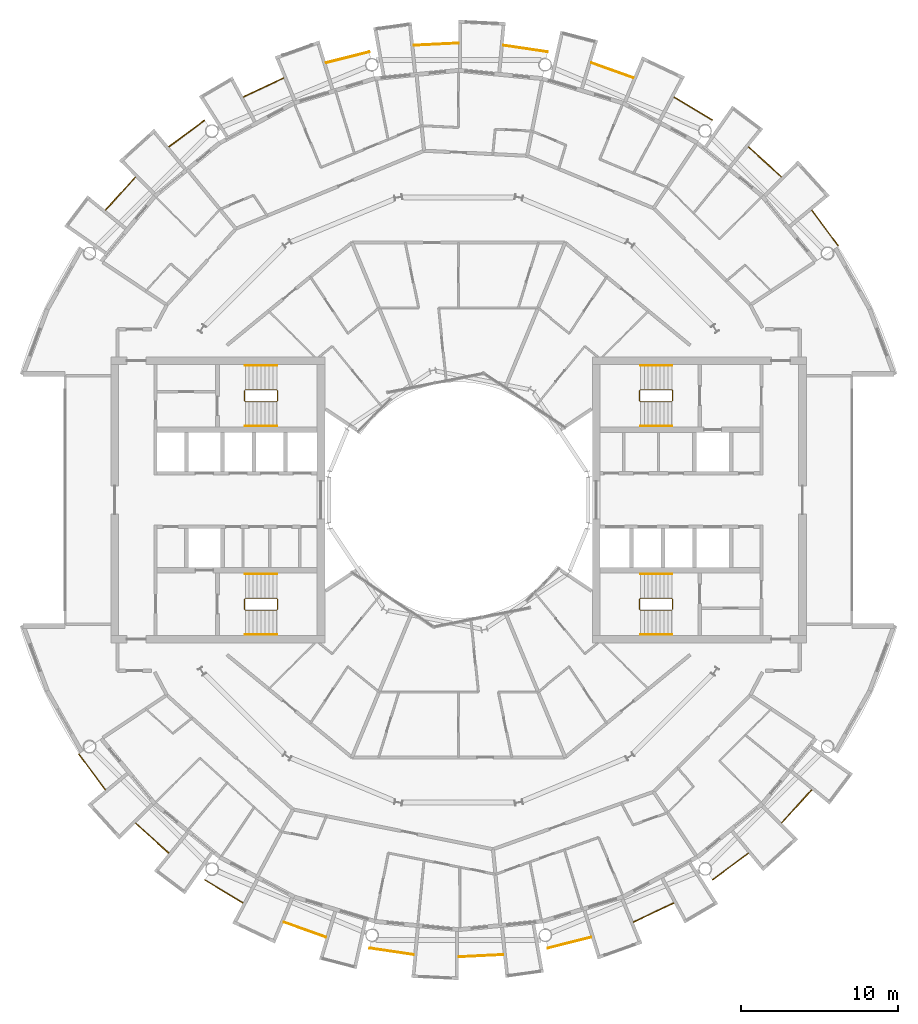
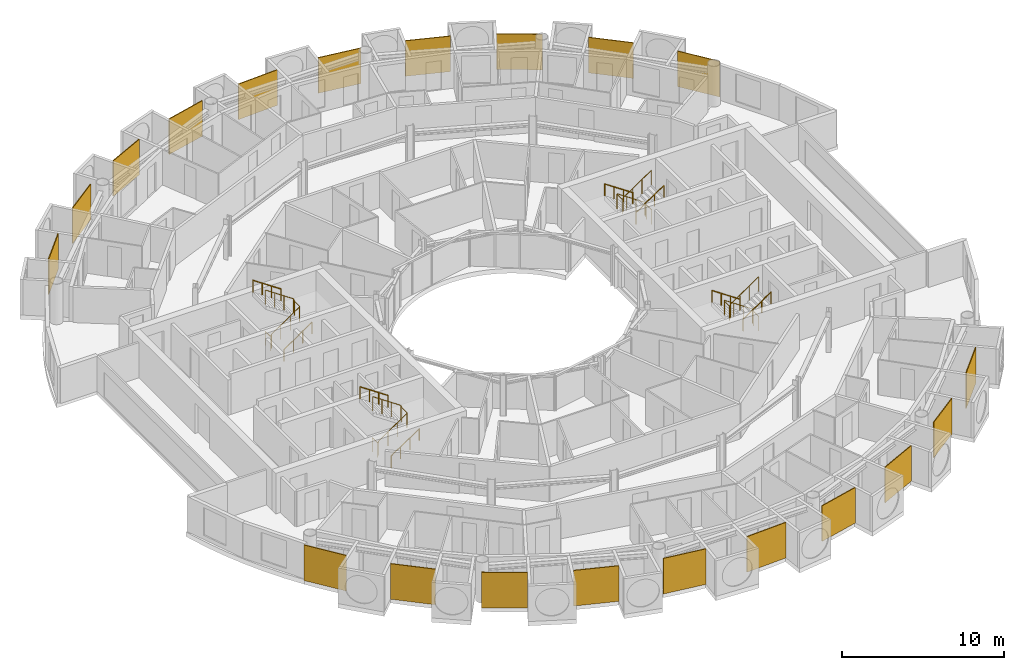
# One storey, part 26 of 26: 32 railings.
"""IFC4 building model written with IfcOpenShell, lengths in metres."""

from ifc_helpers import new_model, si_unit, direction, frame, origin, origin_2d, place, context, subcontext, project, spatial, polyline, circle, outline, extrude, material, layer, layer_set, type_object, element, save


model = new_model("IFC4")

# Units and contexts
model_context = context("Model", 3, precision=1e-05, world=origin(), true_north=direction((0.0, 1.0)))
body_context = subcontext(model_context, "Body", "Model", "MODEL_VIEW")
ifc_project = project(units=[si_unit("LENGTHUNIT", "METRE"), si_unit("AREAUNIT", "SQUARE_METRE"), si_unit("VOLUMEUNIT", "CUBIC_METRE"), si_unit("PLANEANGLEUNIT", "RADIAN"), si_unit("MASSUNIT", "GRAM", prefix="KILO")], contexts=[model_context])

# Site, building, storey
site_placement = place(None, origin())
site = spatial("IfcSite", under=ifc_project, at=site_placement, CompositionType="ELEMENT")
building_placement = place(site_placement, origin())
building = spatial("IfcBuilding", under=site, at=building_placement, Name="Maasbend Ring Residences", CompositionType="ELEMENT")
storey_placement = place(building_placement, frame((0.0, 0.0, 176.85009765625)))
storey = spatial("IfcBuildingStorey", under=building, at=storey_placement, Name="L51", CompositionType="ELEMENT", Elevation=176.85009765625)

# Railings
ifc_material_1 = material(Name="Pale anodised perforated aluminium", Category="aluminium")
ifc_layer = layer(ifc_material_1, 0.06005859375)
ifc_layer_set = layer_set([ifc_layer], Name="SCREEN-P")
railing_type_1 = type_object("IfcRailingType", Name="SCREEN-P", PredefinedType="GUARDRAIL", material=ifc_layer_set)
railing_1_placement = place(storey_placement, frame((0.0, 0.0, -0.030029296875)))
element("IfcRailing", 1, at=railing_1_placement, inside=storey, type_object=railing_type_1, Name="Perforated screen guard 1", PredefinedType="GUARDRAIL", context=body_context, shape_type="SweptSolid", body=[
    extrude(outline(polyline([(24.113037109375, 16.112060546875), (22.4169921875, 18.39697265625), (22.465087890625, 18.43310546875), (24.160888671875, 16.14697265625), (24.113037109375, 16.112060546875)])), origin(), (0.0, 0.0, 1.0), 2.679931640625),
])
railing_2_placement = place(storey_placement, frame((0.0, 0.0, -0.030029296875)))
element("IfcRailing", 2, at=railing_2_placement, inside=storey, type_object=railing_type_1, Name="Perforated screen guard 2", PredefinedType="GUARDRAIL", context=body_context, shape_type="SweptSolid", body=[
    extrude(outline(polyline([(20.506103515625, 20.506103515625), (18.39697265625, 22.4169921875), (18.43798828125, 22.4619140625), (20.5458984375, 20.551025390625), (20.506103515625, 20.506103515625)])), origin(), (0.0, 0.0, 1.0), 2.679931640625),
])
railing_3_placement = place(storey_placement, frame((0.0, 0.0, -0.030029296875)))
element("IfcRailing", 3, at=railing_3_placement, inside=storey, type_object=railing_type_1, Name="Perforated screen guard 3", PredefinedType="GUARDRAIL", context=body_context, shape_type="SweptSolid", body=[
    extrude(outline(polyline([(16.112060546875, 24.113037109375), (13.6708984375, 25.575927734375), (13.700927734375, 25.626953125), (16.14208984375, 24.1640625), (16.112060546875, 24.113037109375)])), origin(), (0.0, 0.0, 1.0), 2.679931640625),
])
railing_4_placement = place(storey_placement, frame((0.0, 0.0, -0.030029296875)))
element("IfcRailing", 4, at=railing_4_placement, inside=storey, type_object=railing_type_1, Name="Perforated screen guard 4", PredefinedType="GUARDRAIL", context=body_context, shape_type="SweptSolid", body=[
    extrude(outline(polyline([(11.097900390625, 26.79296875), (8.41796875, 27.7509765625), (8.43798828125, 27.80810546875), (11.117919921875, 26.84912109375), (11.097900390625, 26.79296875)])), origin(), (0.0, 0.0, 1.0), 2.679931640625),
])
railing_5_placement = place(storey_placement, frame((0.0, 0.0, -0.030029296875)))
element("IfcRailing", 5, at=railing_5_placement, inside=storey, type_object=railing_type_1, Name="Perforated screen guard 5", PredefinedType="GUARDRAIL", context=body_context, shape_type="SweptSolid", body=[
    extrude(outline(polyline([(5.657958984375, 28.443115234375), (2.842041015625, 28.860107421875), (2.85107421875, 28.919921875), (5.666015625, 28.501953125), (5.657958984375, 28.443115234375)])), origin(), (0.0, 0.0, 1.0), 2.679931640625),
])
railing_6_placement = place(storey_placement, frame((0.0, 0.0, -0.030029296875)))
element("IfcRailing", 6, at=railing_6_placement, inside=storey, type_object=railing_type_1, Name="Perforated screen guard 6", PredefinedType="GUARDRAIL", context=body_context, shape_type="SweptSolid", body=[
    extrude(outline(polyline([(0.0, 29.0), (-2.842041015625, 28.860107421875), (-2.844970703125, 28.919921875), (-0.0029296875, 29.06005859375), (0.0, 29.0)])), origin(), (0.0, 0.0, 1.0), 2.679931640625),
])
railing_7_placement = place(storey_placement, frame((0.0, 0.0, -0.030029296875)))
element("IfcRailing", 7, at=railing_7_placement, inside=storey, type_object=railing_type_1, Name="Perforated screen guard 7", PredefinedType="GUARDRAIL", context=body_context, shape_type="SweptSolid", body=[
    extrude(outline(polyline([(-5.657958984375, 28.443115234375), (-8.41796875, 27.7509765625), (-8.43310546875, 27.80908203125), (-5.672119140625, 28.5009765625), (-5.657958984375, 28.443115234375)])), origin(), (0.0, 0.0, 1.0), 2.679931640625),
])
railing_8_placement = place(storey_placement, frame((0.0, 0.0, -0.030029296875)))
element("IfcRailing", 8, at=railing_8_placement, inside=storey, type_object=railing_type_1, Name="Perforated screen guard 8", PredefinedType="GUARDRAIL", context=body_context, shape_type="SweptSolid", body=[
    extrude(outline(polyline([(-11.097900390625, 26.79296875), (-13.6708984375, 25.575927734375), (-13.696044921875, 25.6298828125), (-11.123046875, 26.846923828125), (-11.097900390625, 26.79296875)])), origin(), (0.0, 0.0, 1.0), 2.679931640625),
])
railing_9_placement = place(storey_placement, frame((0.0, 0.0, -0.030029296875)))
element("IfcRailing", 9, at=railing_9_placement, inside=storey, type_object=railing_type_1, Name="Perforated screen guard 9", PredefinedType="GUARDRAIL", context=body_context, shape_type="SweptSolid", body=[
    extrude(outline(polyline([(-16.112060546875, 24.113037109375), (-18.39697265625, 22.4169921875), (-18.43310546875, 22.465087890625), (-16.14697265625, 24.160888671875), (-16.112060546875, 24.113037109375)])), origin(), (0.0, 0.0, 1.0), 2.679931640625),
])
railing_10_placement = place(storey_placement, frame((0.0, 0.0, -0.030029296875)))
element("IfcRailing", 10, at=railing_10_placement, inside=storey, type_object=railing_type_1, Name="Perforated screen guard 10", PredefinedType="GUARDRAIL", context=body_context, shape_type="SweptSolid", body=[
    extrude(outline(polyline([(-20.506103515625, 20.506103515625), (-22.4169921875, 18.39697265625), (-22.4619140625, 18.43798828125), (-20.551025390625, 20.5458984375), (-20.506103515625, 20.506103515625)])), origin(), (0.0, 0.0, 1.0), 2.679931640625),
])
railing_11_placement = place(storey_placement, frame((0.0, 0.0, -0.030029296875)))
element("IfcRailing", 11, at=railing_11_placement, inside=storey, type_object=railing_type_1, Name="Perforated screen guard 1", PredefinedType="GUARDRAIL", context=body_context, shape_type="SweptSolid", body=[
    extrude(outline(polyline([(-24.113037109375, -16.112060546875), (-22.4169921875, -18.39697265625), (-22.465087890625, -18.43310546875), (-24.160888671875, -16.14697265625), (-24.113037109375, -16.112060546875)])), origin(), (0.0, 0.0, 1.0), 2.679931640625),
])
railing_12_placement = place(storey_placement, frame((0.0, 0.0, -0.030029296875)))
element("IfcRailing", 12, at=railing_12_placement, inside=storey, type_object=railing_type_1, Name="Perforated screen guard 2", PredefinedType="GUARDRAIL", context=body_context, shape_type="SweptSolid", body=[
    extrude(outline(polyline([(-20.506103515625, -20.506103515625), (-18.39697265625, -22.4169921875), (-18.43798828125, -22.4619140625), (-20.5458984375, -20.551025390625), (-20.506103515625, -20.506103515625)])), origin(), (0.0, 0.0, 1.0), 2.679931640625),
])
railing_13_placement = place(storey_placement, frame((0.0, 0.0, -0.030029296875)))
element("IfcRailing", 13, at=railing_13_placement, inside=storey, type_object=railing_type_1, Name="Perforated screen guard 3", PredefinedType="GUARDRAIL", context=body_context, shape_type="SweptSolid", body=[
    extrude(outline(polyline([(-16.112060546875, -24.113037109375), (-13.6708984375, -25.575927734375), (-13.700927734375, -25.626953125), (-16.14208984375, -24.1640625), (-16.112060546875, -24.113037109375)])), origin(), (0.0, 0.0, 1.0), 2.679931640625),
])
railing_14_placement = place(storey_placement, frame((0.0, 0.0, -0.030029296875)))
element("IfcRailing", 14, at=railing_14_placement, inside=storey, type_object=railing_type_1, Name="Perforated screen guard 4", PredefinedType="GUARDRAIL", context=body_context, shape_type="SweptSolid", body=[
    extrude(outline(polyline([(-11.097900390625, -26.79296875), (-8.41796875, -27.7509765625), (-8.43798828125, -27.80810546875), (-11.117919921875, -26.84912109375), (-11.097900390625, -26.79296875)])), origin(), (0.0, 0.0, 1.0), 2.679931640625),
])
railing_15_placement = place(storey_placement, frame((0.0, 0.0, -0.030029296875)))
element("IfcRailing", 15, at=railing_15_placement, inside=storey, type_object=railing_type_1, Name="Perforated screen guard 5", PredefinedType="GUARDRAIL", context=body_context, shape_type="SweptSolid", body=[
    extrude(outline(polyline([(-5.657958984375, -28.443115234375), (-2.842041015625, -28.860107421875), (-2.85107421875, -28.919921875), (-5.666015625, -28.501953125), (-5.657958984375, -28.443115234375)])), origin(), (0.0, 0.0, 1.0), 2.679931640625),
])
railing_16_placement = place(storey_placement, frame((0.0, 0.0, -0.030029296875)))
element("IfcRailing", 16, at=railing_16_placement, inside=storey, type_object=railing_type_1, Name="Perforated screen guard 6", PredefinedType="GUARDRAIL", context=body_context, shape_type="SweptSolid", body=[
    extrude(outline(polyline([(0.0, -29.0), (2.842041015625, -28.860107421875), (2.844970703125, -28.919921875), (0.0029296875, -29.06005859375), (0.0, -29.0)])), origin(), (0.0, 0.0, 1.0), 2.679931640625),
])
railing_17_placement = place(storey_placement, frame((0.0, 0.0, -0.030029296875)))
element("IfcRailing", 17, at=railing_17_placement, inside=storey, type_object=railing_type_1, Name="Perforated screen guard 7", PredefinedType="GUARDRAIL", context=body_context, shape_type="SweptSolid", body=[
    extrude(outline(polyline([(5.657958984375, -28.443115234375), (8.41796875, -27.7509765625), (8.43310546875, -27.80908203125), (5.672119140625, -28.5009765625), (5.657958984375, -28.443115234375)])), origin(), (0.0, 0.0, 1.0), 2.679931640625),
])
railing_18_placement = place(storey_placement, frame((0.0, 0.0, -0.030029296875)))
element("IfcRailing", 18, at=railing_18_placement, inside=storey, type_object=railing_type_1, Name="Perforated screen guard 8", PredefinedType="GUARDRAIL", context=body_context, shape_type="SweptSolid", body=[
    extrude(outline(polyline([(11.097900390625, -26.79296875), (13.6708984375, -25.575927734375), (13.696044921875, -25.6298828125), (11.123046875, -26.846923828125), (11.097900390625, -26.79296875)])), origin(), (0.0, 0.0, 1.0), 2.679931640625),
])
railing_19_placement = place(storey_placement, frame((0.0, 0.0, -0.030029296875)))
element("IfcRailing", 19, at=railing_19_placement, inside=storey, type_object=railing_type_1, Name="Perforated screen guard 9", PredefinedType="GUARDRAIL", context=body_context, shape_type="SweptSolid", body=[
    extrude(outline(polyline([(16.112060546875, -24.113037109375), (18.39697265625, -22.4169921875), (18.43310546875, -22.465087890625), (16.14697265625, -24.160888671875), (16.112060546875, -24.113037109375)])), origin(), (0.0, 0.0, 1.0), 2.679931640625),
])
railing_20_placement = place(storey_placement, frame((0.0, 0.0, -0.030029296875)))
element("IfcRailing", 20, at=railing_20_placement, inside=storey, type_object=railing_type_1, Name="Perforated screen guard 10", PredefinedType="GUARDRAIL", context=body_context, shape_type="SweptSolid", body=[
    extrude(outline(polyline([(20.506103515625, -20.506103515625), (22.4169921875, -18.39697265625), (22.4619140625, -18.43798828125), (20.551025390625, -20.5458984375), (20.506103515625, -20.506103515625)])), origin(), (0.0, 0.0, 1.0), 2.679931640625),
])
ifc_material_2 = material(Name="Stainless steel 316", Category="steel")
railing_type_2 = type_object("IfcRailingType", Name="STAIR GUARD 1100", PredefinedType="GUARDRAIL", material=ifc_material_2)
railing_21_placement = place(storey_placement, frame((13.60009765625, 6.300048828125, 0.0)))
element("IfcRailing", 21, at=railing_21_placement, inside=storey, type_object=railing_type_2, Name="L51 ST-E1 stair guard 1", PredefinedType="GUARDRAIL", context=body_context, shape_type="SweptSolid", body=[
    extrude(circle(Radius=0.02392578125, at=origin_2d()), frame((0.0, 0.0, 1.076171875), z_axis=(0.0, 1.0, 0.0), x_axis=(-1.0, 0.0, 0.0)), (0.0, 0.0, 1.0), 0.64990234375),
    extrude(circle(Radius=0.02392578125, at=origin_2d()), frame((0.0, 0.64990234375, 1.076171875), z_axis=(-0.272562526181, 0.272562526181, 0.92272386912), x_axis=(-0.707106781187, -0.707106781187, 0.0)), (0.0, 0.0, 1.0), 0.18359375),
    extrude(circle(Radius=0.02392578125, at=origin_2d()), frame((-0.050048828125, 0.699951171875, 1.24560546875), z_axis=(-0.827797584762, 0.0, 0.561026878735), x_axis=(0.0, -1.0, 0.0)), (0.0, 0.0, 1.0), 2.416015625),
    extrude(circle(Radius=0.02392578125, at=origin_2d()), frame((-2.050048828125, 0.699951171875, 2.60107421875), z_axis=(-0.707106781187, -0.707106781187, 0.0), x_axis=(0.707106781187, -0.707106781187, 0.0)), (0.0, 0.0, 1.0), 0.07080078125),
    extrude(circle(Radius=0.02392578125, at=origin_2d()), frame((-2.10009765625, 0.64990234375, 2.60107421875), z_axis=(0.0, -1.0, 0.0), x_axis=(1.0, 0.0, 0.0)), (0.0, 0.0, 1.0), 0.64990234375),
    extrude(circle(Radius=0.02392578125, at=origin_2d()), frame((-2.10009765625, 0.0, 2.60107421875), z_axis=(0.272562526181, -0.272562526181, 0.92272386912), x_axis=(0.707106781187, 0.707106781187, 0.0)), (0.0, 0.0, 1.0), 0.18359375),
    extrude(circle(Radius=0.02392578125, at=origin_2d()), frame((-2.050048828125, -0.050048828125, 2.7705078125), z_axis=(0.827797584762, 0.0, 0.561026878735), x_axis=(0.0, 1.0, 0.0)), (0.0, 0.0, 1.0), 2.416015625),
    extrude(circle(Radius=0.02099609375, at=origin_2d()), origin(), (0.0, 0.0, 1.0), 1.052001953125),
    extrude(circle(Radius=0.02099609375, at=origin_2d()), frame((0.0, 0.64990234375, 0.0)), (0.0, 0.0, 1.0), 1.052001953125),
    extrude(circle(Radius=0.02099609375, at=origin_2d()), frame((-0.050048828125, 0.699951171875, 0.16943359375)), (0.0, 0.0, 1.0), 1.052001953125),
    extrude(circle(Radius=0.02099609375, at=origin_2d()), frame((-0.716796875, 0.699951171875, 0.621337890625)), (0.0, 0.0, 1.0), 1.052001953125),
    extrude(circle(Radius=0.02099609375, at=origin_2d()), frame((-1.38330078125, 0.699951171875, 1.072998046875)), (0.0, 0.0, 1.0), 1.052001953125),
    extrude(circle(Radius=0.02099609375, at=origin_2d()), frame((-2.050048828125, 0.699951171875, 1.52490234375)), (0.0, 0.0, 1.0), 1.052001953125),
    extrude(circle(Radius=0.02099609375, at=origin_2d()), frame((-2.10009765625, 0.64990234375, 1.52490234375)), (0.0, 0.0, 1.0), 1.052001953125),
    extrude(circle(Radius=0.02099609375, at=origin_2d()), frame((-2.10009765625, 0.0, 1.52490234375)), (0.0, 0.0, 1.0), 1.052001953125),
    extrude(circle(Radius=0.02099609375, at=origin_2d()), frame((-2.050048828125, -0.050048828125, 1.6943359375)), (0.0, 0.0, 1.0), 1.052001953125),
    extrude(circle(Radius=0.02099609375, at=origin_2d()), frame((-1.38330078125, -0.050048828125, 2.146240234375)), (0.0, 0.0, 1.0), 1.052001953125),
    extrude(circle(Radius=0.02099609375, at=origin_2d()), frame((-0.716796875, -0.050048828125, 2.597900390625)), (0.0, 0.0, 1.0), 1.052001953125),
    extrude(circle(Radius=0.02099609375, at=origin_2d()), frame((-0.050048828125, -0.050048828125, 3.0498046875)), (0.0, 0.0, 1.0), 1.052001953125),
])
railing_22_placement = place(storey_placement, frame((13.60009765625, -6.949951171875, 0.0)))
element("IfcRailing", 22, at=railing_22_placement, inside=storey, type_object=railing_type_2, Name="L51 ST-E2 stair guard 1", PredefinedType="GUARDRAIL", context=body_context, shape_type="SweptSolid", body=[
    extrude(circle(Radius=0.02392578125, at=origin_2d()), frame((0.0, 0.0, 1.076171875), z_axis=(0.0, 1.0, 0.0), x_axis=(-1.0, 0.0, 0.0)), (0.0, 0.0, 1.0), 0.64990234375),
    extrude(circle(Radius=0.02392578125, at=origin_2d()), frame((0.0, 0.64990234375, 1.076171875), z_axis=(-0.272562526181, 0.272562526181, 0.92272386912), x_axis=(-0.707106781187, -0.707106781187, 0.0)), (0.0, 0.0, 1.0), 0.18359375),
    extrude(circle(Radius=0.02392578125, at=origin_2d()), frame((-0.050048828125, 0.699951171875, 1.24560546875), z_axis=(-0.827797584762, 0.0, 0.561026878735), x_axis=(0.0, -1.0, 0.0)), (0.0, 0.0, 1.0), 2.416015625),
    extrude(circle(Radius=0.02392578125, at=origin_2d()), frame((-2.050048828125, 0.699951171875, 2.60107421875), z_axis=(-0.707106781187, -0.707106781187, 0.0), x_axis=(0.707106781187, -0.707106781187, 0.0)), (0.0, 0.0, 1.0), 0.07080078125),
    extrude(circle(Radius=0.02392578125, at=origin_2d()), frame((-2.10009765625, 0.64990234375, 2.60107421875), z_axis=(0.0, -1.0, 0.0), x_axis=(1.0, 0.0, 0.0)), (0.0, 0.0, 1.0), 0.64990234375),
    extrude(circle(Radius=0.02392578125, at=origin_2d()), frame((-2.10009765625, 0.0, 2.60107421875), z_axis=(0.272562526181, -0.272562526181, 0.92272386912), x_axis=(0.707106781187, 0.707106781187, 0.0)), (0.0, 0.0, 1.0), 0.18359375),
    extrude(circle(Radius=0.02392578125, at=origin_2d()), frame((-2.050048828125, -0.050048828125, 2.7705078125), z_axis=(0.827797584762, 0.0, 0.561026878735), x_axis=(0.0, 1.0, 0.0)), (0.0, 0.0, 1.0), 2.416015625),
    extrude(circle(Radius=0.02099609375, at=origin_2d()), origin(), (0.0, 0.0, 1.0), 1.052001953125),
    extrude(circle(Radius=0.02099609375, at=origin_2d()), frame((0.0, 0.64990234375, 0.0)), (0.0, 0.0, 1.0), 1.052001953125),
    extrude(circle(Radius=0.02099609375, at=origin_2d()), frame((-0.050048828125, 0.699951171875, 0.16943359375)), (0.0, 0.0, 1.0), 1.052001953125),
    extrude(circle(Radius=0.02099609375, at=origin_2d()), frame((-0.716796875, 0.699951171875, 0.621337890625)), (0.0, 0.0, 1.0), 1.052001953125),
    extrude(circle(Radius=0.02099609375, at=origin_2d()), frame((-1.38330078125, 0.699951171875, 1.072998046875)), (0.0, 0.0, 1.0), 1.052001953125),
    extrude(circle(Radius=0.02099609375, at=origin_2d()), frame((-2.050048828125, 0.699951171875, 1.52490234375)), (0.0, 0.0, 1.0), 1.052001953125),
    extrude(circle(Radius=0.02099609375, at=origin_2d()), frame((-2.10009765625, 0.64990234375, 1.52490234375)), (0.0, 0.0, 1.0), 1.052001953125),
    extrude(circle(Radius=0.02099609375, at=origin_2d()), frame((-2.10009765625, 0.0, 1.52490234375)), (0.0, 0.0, 1.0), 1.052001953125),
    extrude(circle(Radius=0.02099609375, at=origin_2d()), frame((-2.050048828125, -0.050048828125, 1.6943359375)), (0.0, 0.0, 1.0), 1.052001953125),
    extrude(circle(Radius=0.02099609375, at=origin_2d()), frame((-1.38330078125, -0.050048828125, 2.146240234375)), (0.0, 0.0, 1.0), 1.052001953125),
    extrude(circle(Radius=0.02099609375, at=origin_2d()), frame((-0.716796875, -0.050048828125, 2.597900390625)), (0.0, 0.0, 1.0), 1.052001953125),
    extrude(circle(Radius=0.02099609375, at=origin_2d()), frame((-0.050048828125, -0.050048828125, 3.0498046875)), (0.0, 0.0, 1.0), 1.052001953125),
])
railing_23_placement = place(storey_placement, frame((-13.60009765625, -6.300048828125, 0.0)))
element("IfcRailing", 23, at=railing_23_placement, inside=storey, type_object=railing_type_2, Name="L51 ST-W1 stair guard 1", PredefinedType="GUARDRAIL", context=body_context, shape_type="SweptSolid", body=[
    extrude(circle(Radius=0.02392578125, at=origin_2d()), frame((0.0, 0.0, 1.076171875), z_axis=(0.0, -1.0, 0.0), x_axis=(1.0, 0.0, 0.0)), (0.0, 0.0, 1.0), 0.64990234375),
    extrude(circle(Radius=0.02392578125, at=origin_2d()), frame((0.0, -0.64990234375, 1.076171875), z_axis=(0.272562526181, -0.272562526181, 0.92272386912), x_axis=(0.707106781187, 0.707106781187, 0.0)), (0.0, 0.0, 1.0), 0.18359375),
    extrude(circle(Radius=0.02392578125, at=origin_2d()), frame((0.050048828125, -0.699951171875, 1.24560546875), z_axis=(0.827797584762, 0.0, 0.561026878735), x_axis=(0.0, 1.0, 0.0)), (0.0, 0.0, 1.0), 2.416015625),
    extrude(circle(Radius=0.02392578125, at=origin_2d()), frame((2.050048828125, -0.699951171875, 2.60107421875), z_axis=(0.707106781187, 0.707106781187, 0.0), x_axis=(-0.707106781187, 0.707106781187, 0.0)), (0.0, 0.0, 1.0), 0.07080078125),
    extrude(circle(Radius=0.02392578125, at=origin_2d()), frame((2.10009765625, -0.64990234375, 2.60107421875), z_axis=(0.0, 1.0, 0.0), x_axis=(-1.0, 0.0, 0.0)), (0.0, 0.0, 1.0), 0.64990234375),
    extrude(circle(Radius=0.02392578125, at=origin_2d()), frame((2.10009765625, 0.0, 2.60107421875), z_axis=(-0.272562526181, 0.272562526181, 0.92272386912), x_axis=(-0.707106781187, -0.707106781187, 0.0)), (0.0, 0.0, 1.0), 0.18359375),
    extrude(circle(Radius=0.02392578125, at=origin_2d()), frame((2.050048828125, 0.050048828125, 2.7705078125), z_axis=(-0.827797584762, 0.0, 0.561026878735), x_axis=(0.0, -1.0, 0.0)), (0.0, 0.0, 1.0), 2.416015625),
    extrude(circle(Radius=0.02099609375, at=origin_2d()), origin(), (0.0, 0.0, 1.0), 1.052001953125),
    extrude(circle(Radius=0.02099609375, at=origin_2d()), frame((0.0, -0.64990234375, 0.0)), (0.0, 0.0, 1.0), 1.052001953125),
    extrude(circle(Radius=0.02099609375, at=origin_2d()), frame((0.050048828125, -0.699951171875, 0.16943359375)), (0.0, 0.0, 1.0), 1.052001953125),
    extrude(circle(Radius=0.02099609375, at=origin_2d()), frame((0.716796875, -0.699951171875, 0.621337890625)), (0.0, 0.0, 1.0), 1.052001953125),
    extrude(circle(Radius=0.02099609375, at=origin_2d()), frame((1.38330078125, -0.699951171875, 1.072998046875)), (0.0, 0.0, 1.0), 1.052001953125),
    extrude(circle(Radius=0.02099609375, at=origin_2d()), frame((2.050048828125, -0.699951171875, 1.52490234375)), (0.0, 0.0, 1.0), 1.052001953125),
    extrude(circle(Radius=0.02099609375, at=origin_2d()), frame((2.10009765625, -0.64990234375, 1.52490234375)), (0.0, 0.0, 1.0), 1.052001953125),
    extrude(circle(Radius=0.02099609375, at=origin_2d()), frame((2.10009765625, 0.0, 1.52490234375)), (0.0, 0.0, 1.0), 1.052001953125),
    extrude(circle(Radius=0.02099609375, at=origin_2d()), frame((2.050048828125, 0.050048828125, 1.6943359375)), (0.0, 0.0, 1.0), 1.052001953125),
    extrude(circle(Radius=0.02099609375, at=origin_2d()), frame((1.38330078125, 0.050048828125, 2.146240234375)), (0.0, 0.0, 1.0), 1.052001953125),
    extrude(circle(Radius=0.02099609375, at=origin_2d()), frame((0.716796875, 0.050048828125, 2.597900390625)), (0.0, 0.0, 1.0), 1.052001953125),
    extrude(circle(Radius=0.02099609375, at=origin_2d()), frame((0.050048828125, 0.050048828125, 3.0498046875)), (0.0, 0.0, 1.0), 1.052001953125),
])
railing_24_placement = place(storey_placement, frame((-13.60009765625, 6.949951171875, 0.0)))
element("IfcRailing", 24, at=railing_24_placement, inside=storey, type_object=railing_type_2, Name="L51 ST-W2 stair guard 1", PredefinedType="GUARDRAIL", context=body_context, shape_type="SweptSolid", body=[
    extrude(circle(Radius=0.02392578125, at=origin_2d()), frame((0.0, 0.0, 1.076171875), z_axis=(0.0, -1.0, 0.0), x_axis=(1.0, 0.0, 0.0)), (0.0, 0.0, 1.0), 0.64990234375),
    extrude(circle(Radius=0.02392578125, at=origin_2d()), frame((0.0, -0.64990234375, 1.076171875), z_axis=(0.272562526181, -0.272562526181, 0.92272386912), x_axis=(0.707106781187, 0.707106781187, 0.0)), (0.0, 0.0, 1.0), 0.18359375),
    extrude(circle(Radius=0.02392578125, at=origin_2d()), frame((0.050048828125, -0.699951171875, 1.24560546875), z_axis=(0.827797584762, 0.0, 0.561026878735), x_axis=(0.0, 1.0, 0.0)), (0.0, 0.0, 1.0), 2.416015625),
    extrude(circle(Radius=0.02392578125, at=origin_2d()), frame((2.050048828125, -0.699951171875, 2.60107421875), z_axis=(0.707106781187, 0.707106781187, 0.0), x_axis=(-0.707106781187, 0.707106781187, 0.0)), (0.0, 0.0, 1.0), 0.07080078125),
    extrude(circle(Radius=0.02392578125, at=origin_2d()), frame((2.10009765625, -0.64990234375, 2.60107421875), z_axis=(0.0, 1.0, 0.0), x_axis=(-1.0, 0.0, 0.0)), (0.0, 0.0, 1.0), 0.64990234375),
    extrude(circle(Radius=0.02392578125, at=origin_2d()), frame((2.10009765625, 0.0, 2.60107421875), z_axis=(-0.272562526181, 0.272562526181, 0.92272386912), x_axis=(-0.707106781187, -0.707106781187, 0.0)), (0.0, 0.0, 1.0), 0.18359375),
    extrude(circle(Radius=0.02392578125, at=origin_2d()), frame((2.050048828125, 0.050048828125, 2.7705078125), z_axis=(-0.827797584762, 0.0, 0.561026878735), x_axis=(0.0, -1.0, 0.0)), (0.0, 0.0, 1.0), 2.416015625),
    extrude(circle(Radius=0.02099609375, at=origin_2d()), origin(), (0.0, 0.0, 1.0), 1.052001953125),
    extrude(circle(Radius=0.02099609375, at=origin_2d()), frame((0.0, -0.64990234375, 0.0)), (0.0, 0.0, 1.0), 1.052001953125),
    extrude(circle(Radius=0.02099609375, at=origin_2d()), frame((0.050048828125, -0.699951171875, 0.16943359375)), (0.0, 0.0, 1.0), 1.052001953125),
    extrude(circle(Radius=0.02099609375, at=origin_2d()), frame((0.716796875, -0.699951171875, 0.621337890625)), (0.0, 0.0, 1.0), 1.052001953125),
    extrude(circle(Radius=0.02099609375, at=origin_2d()), frame((1.38330078125, -0.699951171875, 1.072998046875)), (0.0, 0.0, 1.0), 1.052001953125),
    extrude(circle(Radius=0.02099609375, at=origin_2d()), frame((2.050048828125, -0.699951171875, 1.52490234375)), (0.0, 0.0, 1.0), 1.052001953125),
    extrude(circle(Radius=0.02099609375, at=origin_2d()), frame((2.10009765625, -0.64990234375, 1.52490234375)), (0.0, 0.0, 1.0), 1.052001953125),
    extrude(circle(Radius=0.02099609375, at=origin_2d()), frame((2.10009765625, 0.0, 1.52490234375)), (0.0, 0.0, 1.0), 1.052001953125),
    extrude(circle(Radius=0.02099609375, at=origin_2d()), frame((2.050048828125, 0.050048828125, 1.6943359375)), (0.0, 0.0, 1.0), 1.052001953125),
    extrude(circle(Radius=0.02099609375, at=origin_2d()), frame((1.38330078125, 0.050048828125, 2.146240234375)), (0.0, 0.0, 1.0), 1.052001953125),
    extrude(circle(Radius=0.02099609375, at=origin_2d()), frame((0.716796875, 0.050048828125, 2.597900390625)), (0.0, 0.0, 1.0), 1.052001953125),
    extrude(circle(Radius=0.02099609375, at=origin_2d()), frame((0.050048828125, 0.050048828125, 3.0498046875)), (0.0, 0.0, 1.0), 1.052001953125),
])
ifc_material_3 = material(Name="Stainless steel 316", Category="steel")
railing_type_3 = type_object("IfcRailingType", Name="STAIR HANDRAIL 900", PredefinedType="HANDRAIL", material=ifc_material_3)
railing_25_placement = place(storey_placement, frame((13.550048828125, 8.550048828125, 0.16943359375)))
element("IfcRailing", 25, at=railing_25_placement, inside=storey, type_object=railing_type_3, Name="L51 ST-E1 stair handrail 1", PredefinedType="HANDRAIL", context=body_context, shape_type="SweptSolid", body=[
    extrude(circle(Radius=0.02392578125, at=origin_2d()), frame((0.0, 0.0, 0.8759765625), z_axis=(-0.827797584762, 0.0, 0.561026878735), x_axis=(0.0, -1.0, 0.0)), (0.0, 0.0, 1.0), 2.416015625),
    extrude(circle(Radius=0.02099609375, at=origin_2d()), origin(), (0.0, 0.0, 1.0), 0.851806640625),
    extrude(circle(Radius=0.02099609375, at=origin_2d()), frame((-0.666748046875, 0.0, 0.451904296875)), (0.0, 0.0, 1.0), 0.851806640625),
    extrude(circle(Radius=0.02099609375, at=origin_2d()), frame((-1.333251953125, 0.0, 0.903564453125)), (0.0, 0.0, 1.0), 0.851806640625),
    extrude(circle(Radius=0.02099609375, at=origin_2d()), frame((-2.0, 0.0, 1.35546875)), (0.0, 0.0, 1.0), 0.851806640625),
])
railing_26_placement = place(storey_placement, frame((11.550048828125, 4.699951171875, 1.6943359375)))
element("IfcRailing", 26, at=railing_26_placement, inside=storey, type_object=railing_type_3, Name="L51 ST-E1 stair handrail 2", PredefinedType="HANDRAIL", context=body_context, shape_type="SweptSolid", body=[
    extrude(circle(Radius=0.02392578125, at=origin_2d()), frame((0.0, 0.0, 0.8759765625), z_axis=(0.827797584762, 0.0, 0.561026878735), x_axis=(0.0, 1.0, 0.0)), (0.0, 0.0, 1.0), 2.416015625),
    extrude(circle(Radius=0.02099609375, at=origin_2d()), origin(), (0.0, 0.0, 1.0), 0.851806640625),
    extrude(circle(Radius=0.02099609375, at=origin_2d()), frame((0.666748046875, 0.0, 0.451904296875)), (0.0, 0.0, 1.0), 0.851806640625),
    extrude(circle(Radius=0.02099609375, at=origin_2d()), frame((1.333251953125, 0.0, 0.903564453125)), (0.0, 0.0, 1.0), 0.851806640625),
    extrude(circle(Radius=0.02099609375, at=origin_2d()), frame((2.0, 0.0, 1.35546875)), (0.0, 0.0, 1.0), 0.851806640625),
])
railing_27_placement = place(storey_placement, frame((13.550048828125, -4.699951171875, 0.16943359375)))
element("IfcRailing", 27, at=railing_27_placement, inside=storey, type_object=railing_type_3, Name="L51 ST-E2 stair handrail 1", PredefinedType="HANDRAIL", context=body_context, shape_type="SweptSolid", body=[
    extrude(circle(Radius=0.02392578125, at=origin_2d()), frame((0.0, 0.0, 0.8759765625), z_axis=(-0.827797584762, 0.0, 0.561026878735), x_axis=(0.0, -1.0, 0.0)), (0.0, 0.0, 1.0), 2.416015625),
    extrude(circle(Radius=0.02099609375, at=origin_2d()), origin(), (0.0, 0.0, 1.0), 0.851806640625),
    extrude(circle(Radius=0.02099609375, at=origin_2d()), frame((-0.666748046875, 0.0, 0.451904296875)), (0.0, 0.0, 1.0), 0.851806640625),
    extrude(circle(Radius=0.02099609375, at=origin_2d()), frame((-1.333251953125, 0.0, 0.903564453125)), (0.0, 0.0, 1.0), 0.851806640625),
    extrude(circle(Radius=0.02099609375, at=origin_2d()), frame((-2.0, 0.0, 1.35546875)), (0.0, 0.0, 1.0), 0.851806640625),
])
for number, where, name in (
    (28, (11.550048828125, -8.550048828125, 1.6943359375), "L51 ST-E2 stair handrail 2"),
    (29, (-13.550048828125, -8.550048828125, 0.16943359375), "L51 ST-W1 stair handrail 1"),
):
    element("IfcRailing", number, at=place(storey_placement, frame(where)), inside=storey, type_object=railing_type_3, Name=name, PredefinedType="HANDRAIL", context=body_context, shape_type="SweptSolid", body=[
        extrude(circle(Radius=0.02392578125, at=origin_2d()), frame((0.0, 0.0, 0.8759765625), z_axis=(0.827797584762, 0.0, 0.561026878735), x_axis=(0.0, 1.0, 0.0)), (0.0, 0.0, 1.0), 2.416015625),
        extrude(circle(Radius=0.02099609375, at=origin_2d()), origin(), (0.0, 0.0, 1.0), 0.851806640625),
        extrude(circle(Radius=0.02099609375, at=origin_2d()), frame((0.666748046875, 0.0, 0.451904296875)), (0.0, 0.0, 1.0), 0.851806640625),
        extrude(circle(Radius=0.02099609375, at=origin_2d()), frame((1.333251953125, 0.0, 0.903564453125)), (0.0, 0.0, 1.0), 0.851806640625),
        extrude(circle(Radius=0.02099609375, at=origin_2d()), frame((2.0, 0.0, 1.35546875)), (0.0, 0.0, 1.0), 0.851806640625),
    ])
railing_28_placement = place(storey_placement, frame((-11.550048828125, -4.699951171875, 1.6943359375)))
element("IfcRailing", 30, at=railing_28_placement, inside=storey, type_object=railing_type_3, Name="L51 ST-W1 stair handrail 2", PredefinedType="HANDRAIL", context=body_context, shape_type="SweptSolid", body=[
    extrude(circle(Radius=0.02392578125, at=origin_2d()), frame((0.0, 0.0, 0.8759765625), z_axis=(-0.827797584762, 0.0, 0.561026878735), x_axis=(0.0, -1.0, 0.0)), (0.0, 0.0, 1.0), 2.416015625),
    extrude(circle(Radius=0.02099609375, at=origin_2d()), origin(), (0.0, 0.0, 1.0), 0.851806640625),
    extrude(circle(Radius=0.02099609375, at=origin_2d()), frame((-0.666748046875, 0.0, 0.451904296875)), (0.0, 0.0, 1.0), 0.851806640625),
    extrude(circle(Radius=0.02099609375, at=origin_2d()), frame((-1.333251953125, 0.0, 0.903564453125)), (0.0, 0.0, 1.0), 0.851806640625),
    extrude(circle(Radius=0.02099609375, at=origin_2d()), frame((-2.0, 0.0, 1.35546875)), (0.0, 0.0, 1.0), 0.851806640625),
])
railing_29_placement = place(storey_placement, frame((-13.550048828125, 4.699951171875, 0.16943359375)))
element("IfcRailing", 31, at=railing_29_placement, inside=storey, type_object=railing_type_3, Name="L51 ST-W2 stair handrail 1", PredefinedType="HANDRAIL", context=body_context, shape_type="SweptSolid", body=[
    extrude(circle(Radius=0.02392578125, at=origin_2d()), frame((0.0, 0.0, 0.8759765625), z_axis=(0.827797584762, 0.0, 0.561026878735), x_axis=(0.0, 1.0, 0.0)), (0.0, 0.0, 1.0), 2.416015625),
    extrude(circle(Radius=0.02099609375, at=origin_2d()), origin(), (0.0, 0.0, 1.0), 0.851806640625),
    extrude(circle(Radius=0.02099609375, at=origin_2d()), frame((0.666748046875, 0.0, 0.451904296875)), (0.0, 0.0, 1.0), 0.851806640625),
    extrude(circle(Radius=0.02099609375, at=origin_2d()), frame((1.333251953125, 0.0, 0.903564453125)), (0.0, 0.0, 1.0), 0.851806640625),
    extrude(circle(Radius=0.02099609375, at=origin_2d()), frame((2.0, 0.0, 1.35546875)), (0.0, 0.0, 1.0), 0.851806640625),
])
railing_30_placement = place(storey_placement, frame((-11.550048828125, 8.550048828125, 1.6943359375)))
element("IfcRailing", 32, at=railing_30_placement, inside=storey, type_object=railing_type_3, Name="L51 ST-W2 stair handrail 2", PredefinedType="HANDRAIL", context=body_context, shape_type="SweptSolid", body=[
    extrude(circle(Radius=0.02392578125, at=origin_2d()), frame((0.0, 0.0, 0.8759765625), z_axis=(-0.827797584762, 0.0, 0.561026878735), x_axis=(0.0, -1.0, 0.0)), (0.0, 0.0, 1.0), 2.416015625),
    extrude(circle(Radius=0.02099609375, at=origin_2d()), origin(), (0.0, 0.0, 1.0), 0.851806640625),
    extrude(circle(Radius=0.02099609375, at=origin_2d()), frame((-0.666748046875, 0.0, 0.451904296875)), (0.0, 0.0, 1.0), 0.851806640625),
    extrude(circle(Radius=0.02099609375, at=origin_2d()), frame((-1.333251953125, 0.0, 0.903564453125)), (0.0, 0.0, 1.0), 0.851806640625),
    extrude(circle(Radius=0.02099609375, at=origin_2d()), frame((-2.0, 0.0, 1.35546875)), (0.0, 0.0, 1.0), 0.851806640625),
])

save(model, "model.ifc")
